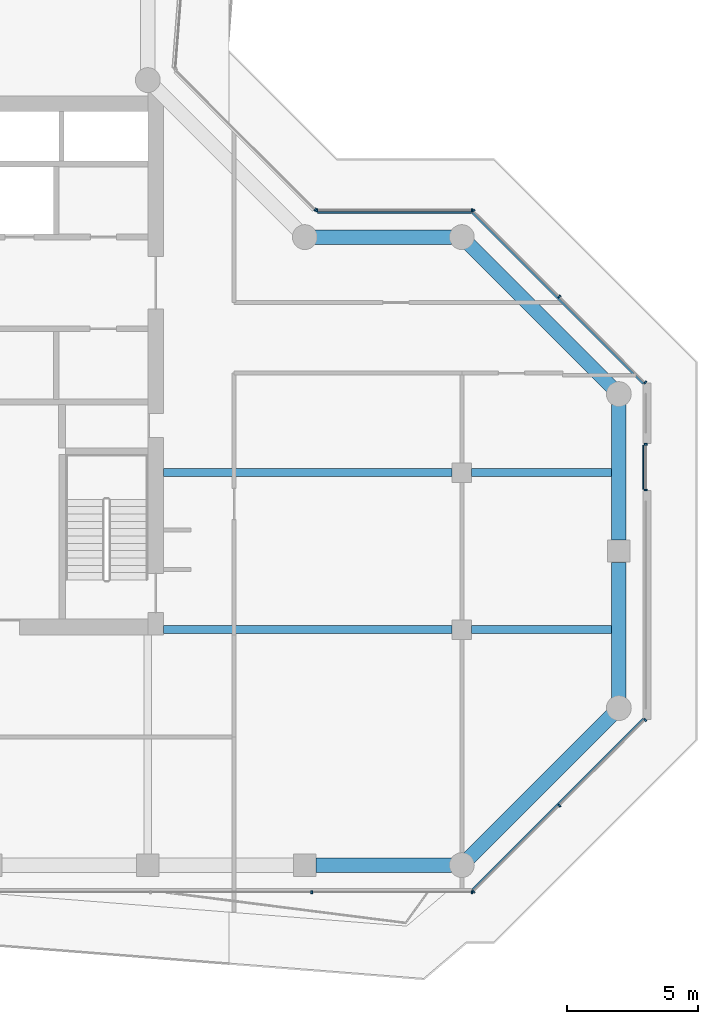
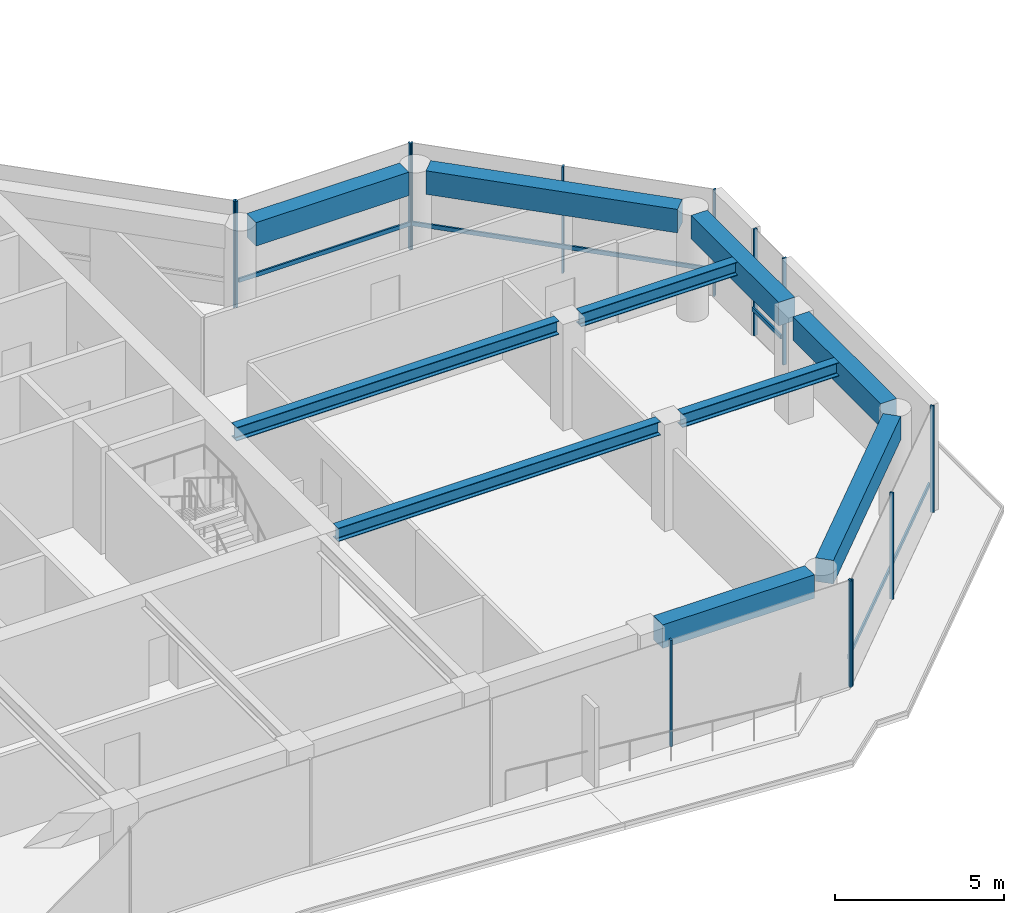
# One storey, part 7 of 22: 17 members, 10 beams, 6 elements without a shape of their own.
"""IFC4 building model written with IfcOpenShell, lengths in metres."""

from ifc_helpers import new_model, si_unit, direction, frame, origin, origin_2d, place, context, subcontext, project, spatial, rectangle, i_section, extrude, material, layer, layer_set, material_profile, profile_set, type_object, element, aggregate, save


model = new_model("IFC4")

# Units and contexts
model_context = context("Model", 3, precision=1e-05, world=origin(), true_north=direction((0.0, 1.0)))
body_context = subcontext(model_context, "Body", "Model", "MODEL_VIEW")
ifc_project = project(units=[si_unit("LENGTHUNIT", "METRE"), si_unit("AREAUNIT", "SQUARE_METRE"), si_unit("VOLUMEUNIT", "CUBIC_METRE"), si_unit("PLANEANGLEUNIT", "RADIAN"), si_unit("MASSUNIT", "GRAM", prefix="KILO")], contexts=[model_context])

# Site, building, storey
site_placement = place(None, origin())
site = spatial("IfcSite", under=ifc_project, at=site_placement, CompositionType="ELEMENT")
building_placement = place(site_placement, origin())
building = spatial("IfcBuilding", under=site, at=building_placement, Name="Welwitschia Terrace Campus", CompositionType="ELEMENT")
storey_placement = place(building_placement, frame((0.0, 0.0, 150.800048828125)))
storey = spatial("IfcBuildingStorey", under=building, at=storey_placement, Name="L33", CompositionType="ELEMENT", Elevation=150.800048828125)

# Beams
ifc_material_1 = material(Name="Steel S355", Category="steel")
ifc_material_profile_1 = material_profile(ifc_material_1, i_section(OverallWidth=0.300048828125, OverallDepth=0.489990234375, WebThickness=0.011962890625, FlangeThickness=0.02294921875, FilletRadius=0.027099609375, at=origin_2d()))
ifc_profile_set_1 = profile_set([ifc_material_profile_1], Name="Steel S355")
beam_type_1 = type_object("IfcBeamType", Name="Interior girder HE 500 A", PredefinedType="BEAM", material=ifc_profile_set_1)
beam_1_placement = place(storey_placement, frame((24.60107421875, 5.0, 3.60498046875), z_axis=(1.0, 0.0, 0.0), x_axis=(0.0, 1.0, 0.0)))
element("IfcBeam", 1, at=beam_1_placement, inside=storey, type_object=beam_type_1, Name="Girder GB4", PredefinedType="BEAM", context=body_context, shape_type="SweptSolid", body=[
    extrude(i_section(OverallWidth=0.300048828125, OverallDepth=0.489990234375, WebThickness=0.011962890625, FlangeThickness=0.02294921875, FilletRadius=0.027099609375, at=origin_2d()), origin(), (0.0, 0.0, 1.0), 11.0234375),
])
beam_2_placement = place(storey_placement, frame((36.37548828125, 5.0, 3.60498046875), z_axis=(1.0, 0.0, 0.0), x_axis=(0.0, 1.0, 0.0)))
element("IfcBeam", 2, at=beam_2_placement, inside=storey, type_object=beam_type_1, Name="Girder GB4", PredefinedType="BEAM", context=body_context, shape_type="SweptSolid", body=[
    extrude(i_section(OverallWidth=0.300048828125, OverallDepth=0.489990234375, WebThickness=0.011962890625, FlangeThickness=0.02294921875, FilletRadius=0.027099609375, at=origin_2d()), origin(), (0.0, 0.0, 1.0), 5.634521484375),
])
beam_3_placement = place(storey_placement, frame((24.60107421875, 11.0, 3.60498046875), z_axis=(1.0, 0.0, 0.0), x_axis=(0.0, 1.0, 0.0)))
element("IfcBeam", 3, at=beam_3_placement, inside=storey, type_object=beam_type_1, Name="Girder GB4", PredefinedType="BEAM", context=body_context, shape_type="SweptSolid", body=[
    extrude(i_section(OverallWidth=0.300048828125, OverallDepth=0.489990234375, WebThickness=0.011962890625, FlangeThickness=0.02294921875, FilletRadius=0.027099609375, at=origin_2d()), origin(), (0.0, 0.0, 1.0), 11.0234375),
])
beam_4_placement = place(storey_placement, frame((36.37548828125, 11.0, 3.60498046875), z_axis=(1.0, 0.0, 0.0), x_axis=(0.0, 1.0, 0.0)))
element("IfcBeam", 4, at=beam_4_placement, inside=storey, type_object=beam_type_1, Name="Girder GB4", PredefinedType="BEAM", context=body_context, shape_type="SweptSolid", body=[
    extrude(i_section(OverallWidth=0.300048828125, OverallDepth=0.489990234375, WebThickness=0.011962890625, FlangeThickness=0.02294921875, FilletRadius=0.027099609375, at=origin_2d()), origin(), (0.0, 0.0, 1.0), 5.634521484375),
])

# Curtain wall, members
ifc_material_2 = material(Name="Bronze anodised aluminium", Category="aluminium")
ifc_layer = layer(ifc_material_2, 0.1201171875)
ifc_layer_set = layer_set([ifc_layer], Name="Bronze anodised aluminium")
curtain_wall_type = type_object("IfcCurtainWallType", Name="Curtain wall CW2 tower 6000", PredefinedType="NOTDEFINED", material=ifc_layer_set)
curtain_wall_1_placement = place(storey_placement, origin())
curtain_wall_1 = element("IfcCurtainWall", 5, at=curtain_wall_1_placement, inside=storey, type_object=curtain_wall_type, Name="CW L33.3.0", PredefinedType="NOTDEFINED")
ifc_material_3 = material(Name="Bronze anodised aluminium", Category="aluminium")
ifc_material_profile_2 = material_profile(ifc_material_3, rectangle(XDim=0.1201171875, YDim=0.06005859375, at=origin_2d()))
ifc_profile_set_2 = profile_set([ifc_material_profile_2], Name="Bronze anodised aluminium")
member_type_1 = type_object("IfcMemberType", Name="Mullion 60x120", PredefinedType="MULLION", material=ifc_profile_set_2)
member_1_placement = place(storey_placement, frame((30.26416015625, -5.030029296875, 0.0), z_axis=(0.0, 0.0, 1.0), x_axis=(0.0, 1.0, 0.0)))
member_1 = element("IfcMember", 6, at=member_1_placement, type_object=member_type_1, Name="Mullion L33.3.0.4", PredefinedType="MULLION", context=body_context, shape_type="SweptSolid", body=[
    extrude(rectangle(XDim=0.1201171875, YDim=0.06005859375, at=origin_2d()), origin(), (0.0, 0.0, 1.0), 3.849853515625),
])
member_2_placement = place(storey_placement, frame((36.396728515625, -5.030029296875, 0.0), z_axis=(0.0, 0.0, 1.0), x_axis=(0.0, 1.0, 0.0)))
member_2 = element("IfcMember", 7, at=member_2_placement, type_object=member_type_1, Name="Mullion L33.3.0.5", PredefinedType="MULLION", context=body_context, shape_type="SweptSolid", body=[
    extrude(rectangle(XDim=0.1201171875, YDim=0.06005859375, at=origin_2d()), origin(), (0.0, 0.0, 1.0), 3.849853515625),
])
aggregate(curtain_wall_1, [member_1, member_2])

curtain_wall_2_placement = place(storey_placement, origin())
curtain_wall_2 = element("IfcCurtainWall", 8, at=curtain_wall_2_placement, inside=storey, type_object=curtain_wall_type, Name="CW L33.4.0", PredefinedType="NOTDEFINED")
member_3_placement = place(storey_placement, frame((36.44775390625, -5.0087890625, 0.0), z_axis=(0.0, 0.0, 1.0), x_axis=(-0.707106781187, 0.707106781187, 0.0)))
member_3 = element("IfcMember", 9, at=member_3_placement, type_object=member_type_1, Name="Mullion L33.4.0.0", PredefinedType="MULLION", context=body_context, shape_type="SweptSolid", body=[
    extrude(rectangle(XDim=0.1201171875, YDim=0.06005859375, at=origin_2d()), origin(), (0.0, 0.0, 1.0), 3.849853515625),
])
member_4_placement = place(storey_placement, frame((39.728271484375, -1.728271484375, 0.0), z_axis=(0.0, 0.0, 1.0), x_axis=(-0.707106781187, 0.707106781187, 0.0)))
member_4 = element("IfcMember", 10, at=member_4_placement, type_object=member_type_1, Name="Mullion L33.4.0.1", PredefinedType="MULLION", context=body_context, shape_type="SweptSolid", body=[
    extrude(rectangle(XDim=0.1201171875, YDim=0.06005859375, at=origin_2d()), origin(), (0.0, 0.0, 1.0), 3.849853515625),
])
member_5_placement = place(storey_placement, frame((43.0087890625, 1.55224609375, 0.0), z_axis=(0.0, 0.0, 1.0), x_axis=(-0.707106781187, 0.707106781187, 0.0)))
member_5 = element("IfcMember", 11, at=member_5_placement, type_object=member_type_1, Name="Mullion L33.4.0.2", PredefinedType="MULLION", context=body_context, shape_type="SweptSolid", body=[
    extrude(rectangle(XDim=0.1201171875, YDim=0.06005859375, at=origin_2d()), origin(), (0.0, 0.0, 1.0), 3.849853515625),
])

curtain_wall_3_placement = place(storey_placement, origin())
curtain_wall_3 = element("IfcCurtainWall", 12, at=curtain_wall_3_placement, inside=storey, type_object=curtain_wall_type, Name="CW L33.5.S0", PredefinedType="NOTDEFINED")
member_6_placement = place(storey_placement, frame((43.030029296875, 10.34326171875, 0.0), z_axis=(0.0, 0.0, 1.0), x_axis=(-1.0, 0.0, 0.0)))
member_6 = element("IfcMember", 13, at=member_6_placement, type_object=member_type_1, Name="Mullion L33.5.S0.0", PredefinedType="MULLION", context=body_context, shape_type="SweptSolid", body=[
    extrude(rectangle(XDim=0.1201171875, YDim=0.06005859375, at=origin_2d()), origin(), (0.0, 0.0, 1.0), 3.849853515625),
])
member_7_placement = place(storey_placement, frame((43.030029296875, 12.083251953125, 0.0), z_axis=(0.0, 0.0, 1.0), x_axis=(-1.0, 0.0, 0.0)))
member_7 = element("IfcMember", 14, at=member_7_placement, type_object=member_type_1, Name="Mullion L33.5.S0.1", PredefinedType="MULLION", context=body_context, shape_type="SweptSolid", body=[
    extrude(rectangle(XDim=0.1201171875, YDim=0.06005859375, at=origin_2d()), origin(), (0.0, 0.0, 1.0), 3.849853515625),
])

curtain_wall_4_placement = place(storey_placement, origin())
curtain_wall_4 = element("IfcCurtainWall", 15, at=curtain_wall_4_placement, inside=storey, type_object=curtain_wall_type, Name="CW L33.6.0", PredefinedType="NOTDEFINED")
member_8_placement = place(storey_placement, frame((43.0087890625, 14.44775390625, 0.0), z_axis=(0.0, 0.0, 1.0), x_axis=(-0.707106781187, -0.707106781187, 0.0)))
member_8 = element("IfcMember", 16, at=member_8_placement, type_object=member_type_1, Name="Mullion L33.6.0.0", PredefinedType="MULLION", context=body_context, shape_type="SweptSolid", body=[
    extrude(rectangle(XDim=0.1201171875, YDim=0.06005859375, at=origin_2d()), origin(), (0.0, 0.0, 1.0), 3.849853515625),
])
member_9_placement = place(storey_placement, frame((39.728271484375, 17.728271484375, 0.0), z_axis=(0.0, 0.0, 1.0), x_axis=(-0.707106781187, -0.707106781187, 0.0)))
member_9 = element("IfcMember", 17, at=member_9_placement, type_object=member_type_1, Name="Mullion L33.6.0.1", PredefinedType="MULLION", context=body_context, shape_type="SweptSolid", body=[
    extrude(rectangle(XDim=0.1201171875, YDim=0.06005859375, at=origin_2d()), origin(), (0.0, 0.0, 1.0), 3.849853515625),
])
member_10_placement = place(storey_placement, frame((36.44775390625, 21.0087890625, 0.0), z_axis=(0.0, 0.0, 1.0), x_axis=(-0.707106781187, -0.707106781187, 0.0)))
member_10 = element("IfcMember", 18, at=member_10_placement, type_object=member_type_1, Name="Mullion L33.6.0.2", PredefinedType="MULLION", context=body_context, shape_type="SweptSolid", body=[
    extrude(rectangle(XDim=0.1201171875, YDim=0.06005859375, at=origin_2d()), origin(), (0.0, 0.0, 1.0), 3.849853515625),
])

curtain_wall_5_placement = place(storey_placement, origin())
curtain_wall_5 = element("IfcCurtainWall", 19, at=curtain_wall_5_placement, inside=storey, type_object=curtain_wall_type, Name="CW L33.7.0", PredefinedType="NOTDEFINED")
member_11_placement = place(storey_placement, frame((36.396728515625, 21.030029296875, 0.0), z_axis=(0.0, 0.0, 1.0), x_axis=(0.0, -1.0, 0.0)))
member_11 = element("IfcMember", 20, at=member_11_placement, type_object=member_type_1, Name="Mullion L33.7.0.0", PredefinedType="MULLION", context=body_context, shape_type="SweptSolid", body=[
    extrude(rectangle(XDim=0.1201171875, YDim=0.06005859375, at=origin_2d()), origin(), (0.0, 0.0, 1.0), 3.849853515625),
])
member_12_placement = place(storey_placement, frame((30.45654296875, 21.030029296875, 0.0), z_axis=(0.0, 0.0, 1.0), x_axis=(0.0, -1.0, 0.0)))
member_12 = element("IfcMember", 21, at=member_12_placement, type_object=member_type_1, Name="Mullion L33.7.0.1", PredefinedType="MULLION", context=body_context, shape_type="SweptSolid", body=[
    extrude(rectangle(XDim=0.1201171875, YDim=0.06005859375, at=origin_2d()), origin(), (0.0, 0.0, 1.0), 3.849853515625),
])

# Curtain wall, member
curtain_wall_6_placement = place(storey_placement, origin())
curtain_wall_6 = element("IfcCurtainWall", 22, at=curtain_wall_6_placement, inside=storey, type_object=curtain_wall_type, Name="CW L33.8.0", PredefinedType="NOTDEFINED")
member_13_placement = place(storey_placement, frame((30.405517578125, 21.05126953125, 0.0), z_axis=(0.0, 0.0, 1.0), x_axis=(-0.707106781187, -0.707106781187, 0.0)))
member_13 = element("IfcMember", 23, at=member_13_placement, type_object=member_type_1, Name="Mullion L33.8.0.0", PredefinedType="MULLION", context=body_context, shape_type="SweptSolid", body=[
    extrude(rectangle(XDim=0.1201171875, YDim=0.06005859375, at=origin_2d()), origin(), (0.0, 0.0, 1.0), 3.849853515625),
])
aggregate(curtain_wall_6, [member_13])

# Beams
ifc_material_4 = material(Name="Concrete C50/60", Category="concrete")
ifc_material_profile_3 = material_profile(ifc_material_4, rectangle(XDim=0.550048828125, YDim=0.85009765625, at=origin_2d()))
ifc_profile_set_3 = profile_set([ifc_material_profile_3], Name="Concrete C50/60")
beam_type_2 = type_object("IfcBeamType", Name="Ring spandrel 550x850", PredefinedType="SPANDREL", material=ifc_profile_set_3)
beam_5_placement = place(storey_placement, frame((30.425537109375, -4.0, 3.425048828125), z_axis=(1.0, 0.0, 0.0), x_axis=(0.0, 1.0, 0.0)))
element("IfcBeam", 24, at=beam_5_placement, inside=storey, type_object=beam_type_2, Name="Spandrel SP3", PredefinedType="SPANDREL", context=body_context, shape_type="SweptSolid", body=[
    extrude(rectangle(XDim=0.550048828125, YDim=0.85009765625, at=origin_2d()), origin(), (0.0, 0.0, 1.0), 5.1865234375),
])
beam_6_placement = place(storey_placement, frame((36.2744140625, -3.7255859375, 3.425048828125), z_axis=(0.707106781187, 0.707106781187, 0.0), x_axis=(-0.707106781187, 0.707106781187, 0.0)))
element("IfcBeam", 25, at=beam_6_placement, inside=storey, type_object=beam_type_2, Name="Spandrel SP3", PredefinedType="SPANDREL", context=body_context, shape_type="SweptSolid", body=[
    extrude(rectangle(XDim=0.550048828125, YDim=0.85009765625, at=origin_2d()), origin(), (0.0, 0.0, 1.0), 7.709228515625),
])
for number, where, z_axis, x_axis, name in (
    (26, (42.0, 2.387939453125, 3.425048828125), (0.0, 1.0, 0.0), (-1.0, 0.0, 0.0), "Spandrel SP3"),
    (27, (42.0, 8.425537109375, 3.425048828125), (0.0, 1.0, 0.0), (-1.0, 0.0, 0.0), "Spandrel SP3"),
):
    element("IfcBeam", number, at=place(storey_placement, frame(where, z_axis=z_axis, x_axis=x_axis)), inside=storey, type_object=beam_type_2, Name=name, PredefinedType="SPANDREL", context=body_context, shape_type="SweptSolid", body=[
        extrude(rectangle(XDim=0.550048828125, YDim=0.85009765625, at=origin_2d()), origin(), (0.0, 0.0, 1.0), 5.1865234375),
    ])
beam_7_placement = place(storey_placement, frame((41.7255859375, 14.2744140625, 3.425048828125), z_axis=(-0.707106781187, 0.707106781187, 0.0), x_axis=(-0.707106781187, -0.707106781187, 0.0)))
element("IfcBeam", 28, at=beam_7_placement, inside=storey, type_object=beam_type_2, Name="Spandrel SP3", PredefinedType="SPANDREL", context=body_context, shape_type="SweptSolid", body=[
    extrude(rectangle(XDim=0.550048828125, YDim=0.85009765625, at=origin_2d()), origin(), (0.0, 0.0, 1.0), 7.709228515625),
])
beam_8_placement = place(storey_placement, frame((35.612060546875, 20.0, 3.425048828125), z_axis=(-1.0, 0.0, 0.0), x_axis=(0.0, -1.0, 0.0)))
element("IfcBeam", 29, at=beam_8_placement, inside=storey, type_object=beam_type_2, Name="Spandrel SP3", PredefinedType="SPANDREL", context=body_context, shape_type="SweptSolid", body=[
    extrude(rectangle(XDim=0.550048828125, YDim=0.85009765625, at=origin_2d()), origin(), (0.0, 0.0, 1.0), 5.22412109375),
])

# Member
ifc_material_5 = material(Name="Bronze anodised aluminium", Category="aluminium")
ifc_material_profile_4 = material_profile(ifc_material_5, rectangle(XDim=0.06005859375, YDim=0.14990234375, at=origin_2d()))
ifc_profile_set_4 = profile_set([ifc_material_profile_4], Name="Bronze anodised aluminium")
member_type_2 = type_object("IfcMemberType", Name="Transom 60x150", PredefinedType="USERDEFINED", material=ifc_profile_set_4)
member_14_placement = place(storey_placement, frame((36.405517578125, -4.923828125, 1.0), z_axis=(0.707106781187, 0.707106781187, 0.0), x_axis=(-0.707106781187, 0.707106781187, 0.0)))
member_14 = element("IfcMember", 30, at=member_14_placement, type_object=member_type_2, Name="Transom L33.4.0", ObjectType="TRANSOM", PredefinedType="USERDEFINED", context=body_context, shape_type="SweptSolid", body=[
    extrude(rectangle(XDim=0.06005859375, YDim=0.14990234375, at=origin_2d()), origin(), (0.0, 0.0, 1.0), 9.21826171875),
])

aggregate(curtain_wall_2, [member_3, member_4, member_5, member_14])

member_15_placement = place(storey_placement, frame((42.93994140625, 10.373291015625, 1.0), z_axis=(0.0, 1.0, 0.0), x_axis=(-1.0, 0.0, 0.0)))
member_15 = element("IfcMember", 31, at=member_15_placement, type_object=member_type_2, Name="Transom L33.5.S0", ObjectType="TRANSOM", PredefinedType="USERDEFINED", context=body_context, shape_type="SweptSolid", body=[
    extrude(rectangle(XDim=0.06005859375, YDim=0.14990234375, at=origin_2d()), origin(), (0.0, 0.0, 1.0), 1.679931640625),
])

aggregate(curtain_wall_3, [member_6, member_7, member_15])

member_16_placement = place(storey_placement, frame((42.923828125, 14.405517578125, 1.0), z_axis=(-0.707106781187, 0.707106781187, 0.0), x_axis=(-0.707106781187, -0.707106781187, 0.0)))
member_16 = element("IfcMember", 32, at=member_16_placement, type_object=member_type_2, Name="Transom L33.6.0", ObjectType="TRANSOM", PredefinedType="USERDEFINED", context=body_context, shape_type="SweptSolid", body=[
    extrude(rectangle(XDim=0.06005859375, YDim=0.14990234375, at=origin_2d()), origin(), (0.0, 0.0, 1.0), 9.21826171875),
])

aggregate(curtain_wall_4, [member_8, member_9, member_10, member_16])

member_17_placement = place(storey_placement, frame((36.36669921875, 20.93994140625, 1.0), z_axis=(-1.0, 0.0, 0.0), x_axis=(0.0, -1.0, 0.0)))
member_17 = element("IfcMember", 33, at=member_17_placement, type_object=member_type_2, Name="Transom L33.7.0", ObjectType="TRANSOM", PredefinedType="USERDEFINED", context=body_context, shape_type="SweptSolid", body=[
    extrude(rectangle(XDim=0.06005859375, YDim=0.14990234375, at=origin_2d()), origin(), (0.0, 0.0, 1.0), 5.880126953125),
])

aggregate(curtain_wall_5, [member_11, member_12, member_17])

save(model, "model.ifc")
